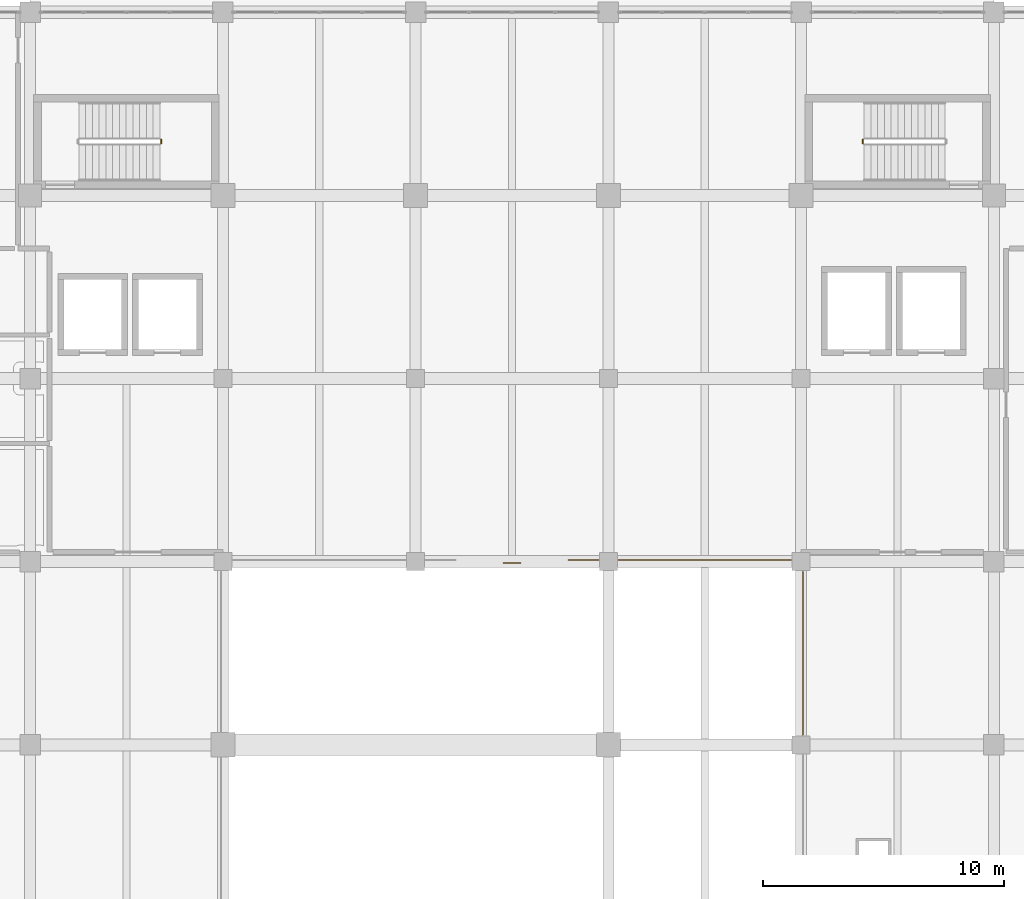
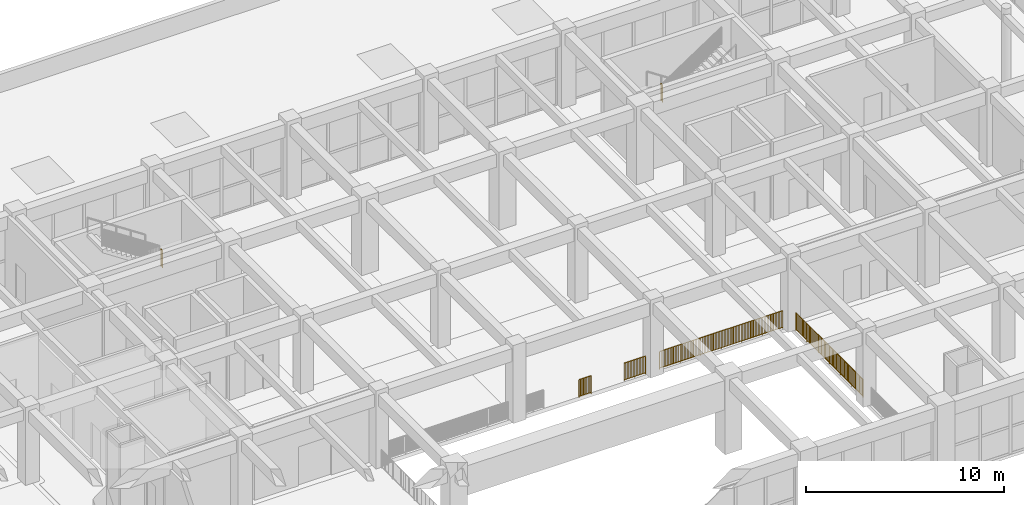
# One storey, part 94 of 101: 6 railings.
"""IFC4 building model written with IfcOpenShell, lengths in metres."""

from ifc_helpers import new_model, si_unit, direction, frame, origin, origin_2d, place, context, subcontext, project, spatial, rectangle, circle, extrude, material, type_object, element, save


model = new_model("IFC4")

# Units and contexts
model_context = context("Model", 3, precision=1e-05, world=origin(), true_north=direction((0.0, 1.0)))
body_context = subcontext(model_context, "Body", "Model", "MODEL_VIEW")
ifc_project = project(units=[si_unit("LENGTHUNIT", "METRE"), si_unit("AREAUNIT", "SQUARE_METRE"), si_unit("VOLUMEUNIT", "CUBIC_METRE"), si_unit("PLANEANGLEUNIT", "RADIAN"), si_unit("MASSUNIT", "GRAM", prefix="KILO")], contexts=[model_context])

# Site, building, storey
site_placement = place(None, origin())
site = spatial("IfcSite", under=ifc_project, at=site_placement, CompositionType="ELEMENT")
building_placement = place(site_placement, origin())
building = spatial("IfcBuilding", under=site, at=building_placement, Name="Zantavel Square City Hall", CompositionType="ELEMENT")
storey_placement = place(building_placement, frame((0.0, 0.0, 5.39990234375)))
storey = spatial("IfcBuildingStorey", under=building, at=storey_placement, Name="L02", CompositionType="ELEMENT", Elevation=5.39990234375)

# Railings
ifc_material = material(Name="Steel ASTM A500 Grade B", Category="steel")
railing_type_1 = type_object("IfcRailingType", Name="Atrium & Gallery Steel Guard Railing 1100mm", PredefinedType="GUARDRAIL", material=ifc_material)
railing_1_placement = place(storey_placement, frame((87.5849609375, 45.669921875, 0.0)))
element("IfcRailing", 1, at=railing_1_placement, inside=storey, type_object=railing_type_1, Name="L02 Atrium Void Guard 014", PredefinedType="GUARDRAIL", context=body_context, shape_type="SweptSolid", body=[
    extrude(circle(Radius=0.02392578125, at=origin_2d()), frame((0.0, 0.0, 1.09619140625), z_axis=(-1.0, 0.0, 0.0), x_axis=(0.0, -1.0, 0.0)), (0.0, 0.0, 1.0), 1.23486328125),
    extrude(rectangle(XDim=0.031982421875, YDim=0.031982421875, at=origin_2d()), frame((0.0, 0.0, 0.080078125), z_axis=(-1.0, 0.0, 0.0), x_axis=(0.0, -1.0, 0.0)), (0.0, 0.0, 1.0), 1.23486328125),
    extrude(rectangle(XDim=0.02197265625, YDim=0.02197265625, at=origin_2d()), frame((-0.088134765625, 0.0, 0.080078125)), (0.0, 0.0, 1.0), 0.991943359375),
    extrude(rectangle(XDim=0.02197265625, YDim=0.02197265625, at=origin_2d()), frame((-0.176513671875, 0.0, 0.080078125)), (0.0, 0.0, 1.0), 0.991943359375),
    extrude(rectangle(XDim=0.02197265625, YDim=0.02197265625, at=origin_2d()), frame((-0.2646484375, 0.0, 0.080078125)), (0.0, 0.0, 1.0), 0.991943359375),
    extrude(rectangle(XDim=0.02197265625, YDim=0.02197265625, at=origin_2d()), frame((-0.352783203125, 0.0, 0.080078125)), (0.0, 0.0, 1.0), 0.991943359375),
    extrude(rectangle(XDim=0.02197265625, YDim=0.02197265625, at=origin_2d()), frame((-0.44091796875, 0.0, 0.080078125)), (0.0, 0.0, 1.0), 0.991943359375),
    extrude(rectangle(XDim=0.02197265625, YDim=0.02197265625, at=origin_2d()), frame((-0.529296875, 0.0, 0.080078125)), (0.0, 0.0, 1.0), 0.991943359375),
    extrude(rectangle(XDim=0.02197265625, YDim=0.02197265625, at=origin_2d()), frame((-0.70556640625, 0.0, 0.080078125)), (0.0, 0.0, 1.0), 0.991943359375),
    extrude(rectangle(XDim=0.02197265625, YDim=0.02197265625, at=origin_2d()), frame((-0.7939453125, 0.0, 0.080078125)), (0.0, 0.0, 1.0), 0.991943359375),
    extrude(rectangle(XDim=0.02197265625, YDim=0.02197265625, at=origin_2d()), frame((-0.882080078125, 0.0, 0.080078125)), (0.0, 0.0, 1.0), 0.991943359375),
    extrude(rectangle(XDim=0.02197265625, YDim=0.02197265625, at=origin_2d()), frame((-0.97021484375, 0.0, 0.080078125)), (0.0, 0.0, 1.0), 0.991943359375),
    extrude(rectangle(XDim=0.02197265625, YDim=0.02197265625, at=origin_2d()), frame((-1.058349609375, 0.0, 0.080078125)), (0.0, 0.0, 1.0), 0.991943359375),
    extrude(rectangle(XDim=0.02197265625, YDim=0.02197265625, at=origin_2d()), frame((-1.146728515625, 0.0, 0.080078125)), (0.0, 0.0, 1.0), 0.991943359375),
    extrude(circle(Radius=0.02099609375, at=origin_2d()), origin(), (0.0, 0.0, 1.0), 1.072021484375),
    extrude(circle(Radius=0.02099609375, at=origin_2d()), frame((-0.617431640625, 0.0, 0.0)), (0.0, 0.0, 1.0), 1.072021484375),
    extrude(circle(Radius=0.02099609375, at=origin_2d()), frame((-1.23486328125, 0.0, 0.0)), (0.0, 0.0, 1.0), 1.072021484375),
])
railing_2_placement = place(storey_placement, frame((95.5849609375, 45.669921875, 0.0)))
element("IfcRailing", 2, at=railing_2_placement, inside=storey, type_object=railing_type_1, Name="L02 Atrium Void Guard 015", PredefinedType="GUARDRAIL", context=body_context, shape_type="SweptSolid", body=[
    extrude(circle(Radius=0.02392578125, at=origin_2d()), frame((0.0, 0.0, 1.09619140625), z_axis=(-1.0, 0.0, 0.0), x_axis=(0.0, -1.0, 0.0)), (0.0, 0.0, 1.0), 7.169921875),
    extrude(rectangle(XDim=0.031982421875, YDim=0.031982421875, at=origin_2d()), frame((0.0, 0.0, 0.080078125), z_axis=(-1.0, 0.0, 0.0), x_axis=(0.0, -1.0, 0.0)), (0.0, 0.0, 1.0), 7.169921875),
    extrude(rectangle(XDim=0.02197265625, YDim=0.02197265625, at=origin_2d()), frame((-0.089599609375, 0.0, 0.080078125)), (0.0, 0.0, 1.0), 0.991943359375),
    extrude(rectangle(XDim=0.02197265625, YDim=0.02197265625, at=origin_2d()), frame((-0.17919921875, 0.0, 0.080078125)), (0.0, 0.0, 1.0), 0.991943359375),
    extrude(rectangle(XDim=0.02197265625, YDim=0.02197265625, at=origin_2d()), frame((-0.268798828125, 0.0, 0.080078125)), (0.0, 0.0, 1.0), 0.991943359375),
    extrude(rectangle(XDim=0.02197265625, YDim=0.02197265625, at=origin_2d()), frame((-0.3583984375, 0.0, 0.080078125)), (0.0, 0.0, 1.0), 0.991943359375),
    extrude(rectangle(XDim=0.02197265625, YDim=0.02197265625, at=origin_2d()), frame((-0.4482421875, 0.0, 0.080078125)), (0.0, 0.0, 1.0), 0.991943359375),
    extrude(rectangle(XDim=0.02197265625, YDim=0.02197265625, at=origin_2d()), frame((-0.537841796875, 0.0, 0.080078125)), (0.0, 0.0, 1.0), 0.991943359375),
    extrude(rectangle(XDim=0.02197265625, YDim=0.02197265625, at=origin_2d()), frame((-0.62744140625, 0.0, 0.080078125)), (0.0, 0.0, 1.0), 0.991943359375),
    extrude(rectangle(XDim=0.02197265625, YDim=0.02197265625, at=origin_2d()), frame((-0.717041015625, 0.0, 0.080078125)), (0.0, 0.0, 1.0), 0.991943359375),
    extrude(rectangle(XDim=0.02197265625, YDim=0.02197265625, at=origin_2d()), frame((-0.806640625, 0.0, 0.080078125)), (0.0, 0.0, 1.0), 0.991943359375),
    extrude(rectangle(XDim=0.02197265625, YDim=0.02197265625, at=origin_2d()), frame((-0.896240234375, 0.0, 0.080078125)), (0.0, 0.0, 1.0), 0.991943359375),
    extrude(rectangle(XDim=0.02197265625, YDim=0.02197265625, at=origin_2d()), frame((-0.98583984375, 0.0, 0.080078125)), (0.0, 0.0, 1.0), 0.991943359375),
    extrude(rectangle(XDim=0.02197265625, YDim=0.02197265625, at=origin_2d()), frame((-1.075439453125, 0.0, 0.080078125)), (0.0, 0.0, 1.0), 0.991943359375),
    extrude(rectangle(XDim=0.02197265625, YDim=0.02197265625, at=origin_2d()), frame((-1.254638671875, 0.0, 0.080078125)), (0.0, 0.0, 1.0), 0.991943359375),
    extrude(rectangle(XDim=0.02197265625, YDim=0.02197265625, at=origin_2d()), frame((-1.34423828125, 0.0, 0.080078125)), (0.0, 0.0, 1.0), 0.991943359375),
    extrude(rectangle(XDim=0.02197265625, YDim=0.02197265625, at=origin_2d()), frame((-1.43408203125, 0.0, 0.080078125)), (0.0, 0.0, 1.0), 0.991943359375),
    extrude(rectangle(XDim=0.02197265625, YDim=0.02197265625, at=origin_2d()), frame((-1.523681640625, 0.0, 0.080078125)), (0.0, 0.0, 1.0), 0.991943359375),
    extrude(rectangle(XDim=0.02197265625, YDim=0.02197265625, at=origin_2d()), frame((-1.61328125, 0.0, 0.080078125)), (0.0, 0.0, 1.0), 0.991943359375),
    extrude(rectangle(XDim=0.02197265625, YDim=0.02197265625, at=origin_2d()), frame((-1.702880859375, 0.0, 0.080078125)), (0.0, 0.0, 1.0), 0.991943359375),
    extrude(rectangle(XDim=0.02197265625, YDim=0.02197265625, at=origin_2d()), frame((-1.79248046875, 0.0, 0.080078125)), (0.0, 0.0, 1.0), 0.991943359375),
    extrude(rectangle(XDim=0.02197265625, YDim=0.02197265625, at=origin_2d()), frame((-1.882080078125, 0.0, 0.080078125)), (0.0, 0.0, 1.0), 0.991943359375),
    extrude(rectangle(XDim=0.02197265625, YDim=0.02197265625, at=origin_2d()), frame((-1.9716796875, 0.0, 0.080078125)), (0.0, 0.0, 1.0), 0.991943359375),
    extrude(rectangle(XDim=0.02197265625, YDim=0.02197265625, at=origin_2d()), frame((-2.061279296875, 0.0, 0.080078125)), (0.0, 0.0, 1.0), 0.991943359375),
    extrude(rectangle(XDim=0.02197265625, YDim=0.02197265625, at=origin_2d()), frame((-2.15087890625, 0.0, 0.080078125)), (0.0, 0.0, 1.0), 0.991943359375),
    extrude(rectangle(XDim=0.02197265625, YDim=0.02197265625, at=origin_2d()), frame((-2.24072265625, 0.0, 0.080078125)), (0.0, 0.0, 1.0), 0.991943359375),
    extrude(rectangle(XDim=0.02197265625, YDim=0.02197265625, at=origin_2d()), frame((-2.330322265625, 0.0, 0.080078125)), (0.0, 0.0, 1.0), 0.991943359375),
    extrude(rectangle(XDim=0.02197265625, YDim=0.02197265625, at=origin_2d()), frame((-2.509521484375, 0.0, 0.080078125)), (0.0, 0.0, 1.0), 0.991943359375),
    extrude(rectangle(XDim=0.02197265625, YDim=0.02197265625, at=origin_2d()), frame((-2.59912109375, 0.0, 0.080078125)), (0.0, 0.0, 1.0), 0.991943359375),
    extrude(rectangle(XDim=0.02197265625, YDim=0.02197265625, at=origin_2d()), frame((-2.688720703125, 0.0, 0.080078125)), (0.0, 0.0, 1.0), 0.991943359375),
    extrude(rectangle(XDim=0.02197265625, YDim=0.02197265625, at=origin_2d()), frame((-2.7783203125, 0.0, 0.080078125)), (0.0, 0.0, 1.0), 0.991943359375),
    extrude(rectangle(XDim=0.02197265625, YDim=0.02197265625, at=origin_2d()), frame((-2.867919921875, 0.0, 0.080078125)), (0.0, 0.0, 1.0), 0.991943359375),
    extrude(rectangle(XDim=0.02197265625, YDim=0.02197265625, at=origin_2d()), frame((-2.95751953125, 0.0, 0.080078125)), (0.0, 0.0, 1.0), 0.991943359375),
    extrude(rectangle(XDim=0.02197265625, YDim=0.02197265625, at=origin_2d()), frame((-3.047119140625, 0.0, 0.080078125)), (0.0, 0.0, 1.0), 0.991943359375),
    extrude(rectangle(XDim=0.02197265625, YDim=0.02197265625, at=origin_2d()), frame((-3.13671875, 0.0, 0.080078125)), (0.0, 0.0, 1.0), 0.991943359375),
    extrude(rectangle(XDim=0.02197265625, YDim=0.02197265625, at=origin_2d()), frame((-3.2265625, 0.0, 0.080078125)), (0.0, 0.0, 1.0), 0.991943359375),
    extrude(rectangle(XDim=0.02197265625, YDim=0.02197265625, at=origin_2d()), frame((-3.316162109375, 0.0, 0.080078125)), (0.0, 0.0, 1.0), 0.991943359375),
    extrude(rectangle(XDim=0.02197265625, YDim=0.02197265625, at=origin_2d()), frame((-3.40576171875, 0.0, 0.080078125)), (0.0, 0.0, 1.0), 0.991943359375),
    extrude(rectangle(XDim=0.02197265625, YDim=0.02197265625, at=origin_2d()), frame((-3.495361328125, 0.0, 0.080078125)), (0.0, 0.0, 1.0), 0.991943359375),
    extrude(rectangle(XDim=0.02197265625, YDim=0.02197265625, at=origin_2d()), frame((-3.674560546875, 0.0, 0.080078125)), (0.0, 0.0, 1.0), 0.991943359375),
    extrude(rectangle(XDim=0.02197265625, YDim=0.02197265625, at=origin_2d()), frame((-3.76416015625, 0.0, 0.080078125)), (0.0, 0.0, 1.0), 0.991943359375),
    extrude(rectangle(XDim=0.02197265625, YDim=0.02197265625, at=origin_2d()), frame((-3.853759765625, 0.0, 0.080078125)), (0.0, 0.0, 1.0), 0.991943359375),
    extrude(rectangle(XDim=0.02197265625, YDim=0.02197265625, at=origin_2d()), frame((-3.943359375, 0.0, 0.080078125)), (0.0, 0.0, 1.0), 0.991943359375),
    extrude(rectangle(XDim=0.02197265625, YDim=0.02197265625, at=origin_2d()), frame((-4.033203125, 0.0, 0.080078125)), (0.0, 0.0, 1.0), 0.991943359375),
    extrude(rectangle(XDim=0.02197265625, YDim=0.02197265625, at=origin_2d()), frame((-4.122802734375, 0.0, 0.080078125)), (0.0, 0.0, 1.0), 0.991943359375),
    extrude(rectangle(XDim=0.02197265625, YDim=0.02197265625, at=origin_2d()), frame((-4.21240234375, 0.0, 0.080078125)), (0.0, 0.0, 1.0), 0.991943359375),
    extrude(rectangle(XDim=0.02197265625, YDim=0.02197265625, at=origin_2d()), frame((-4.302001953125, 0.0, 0.080078125)), (0.0, 0.0, 1.0), 0.991943359375),
    extrude(rectangle(XDim=0.02197265625, YDim=0.02197265625, at=origin_2d()), frame((-4.3916015625, 0.0, 0.080078125)), (0.0, 0.0, 1.0), 0.991943359375),
    extrude(rectangle(XDim=0.02197265625, YDim=0.02197265625, at=origin_2d()), frame((-4.481201171875, 0.0, 0.080078125)), (0.0, 0.0, 1.0), 0.991943359375),
    extrude(rectangle(XDim=0.02197265625, YDim=0.02197265625, at=origin_2d()), frame((-4.57080078125, 0.0, 0.080078125)), (0.0, 0.0, 1.0), 0.991943359375),
    extrude(rectangle(XDim=0.02197265625, YDim=0.02197265625, at=origin_2d()), frame((-4.660400390625, 0.0, 0.080078125)), (0.0, 0.0, 1.0), 0.991943359375),
    extrude(rectangle(XDim=0.02197265625, YDim=0.02197265625, at=origin_2d()), frame((-4.839599609375, 0.0, 0.080078125)), (0.0, 0.0, 1.0), 0.991943359375),
    extrude(rectangle(XDim=0.02197265625, YDim=0.02197265625, at=origin_2d()), frame((-4.92919921875, 0.0, 0.080078125)), (0.0, 0.0, 1.0), 0.991943359375),
    extrude(rectangle(XDim=0.02197265625, YDim=0.02197265625, at=origin_2d()), frame((-5.01904296875, 0.0, 0.080078125)), (0.0, 0.0, 1.0), 0.991943359375),
    extrude(rectangle(XDim=0.02197265625, YDim=0.02197265625, at=origin_2d()), frame((-5.108642578125, 0.0, 0.080078125)), (0.0, 0.0, 1.0), 0.991943359375),
    extrude(rectangle(XDim=0.02197265625, YDim=0.02197265625, at=origin_2d()), frame((-5.1982421875, 0.0, 0.080078125)), (0.0, 0.0, 1.0), 0.991943359375),
    extrude(rectangle(XDim=0.02197265625, YDim=0.02197265625, at=origin_2d()), frame((-5.287841796875, 0.0, 0.080078125)), (0.0, 0.0, 1.0), 0.991943359375),
    extrude(rectangle(XDim=0.02197265625, YDim=0.02197265625, at=origin_2d()), frame((-5.37744140625, 0.0, 0.080078125)), (0.0, 0.0, 1.0), 0.991943359375),
    extrude(rectangle(XDim=0.02197265625, YDim=0.02197265625, at=origin_2d()), frame((-5.467041015625, 0.0, 0.080078125)), (0.0, 0.0, 1.0), 0.991943359375),
    extrude(rectangle(XDim=0.02197265625, YDim=0.02197265625, at=origin_2d()), frame((-5.556640625, 0.0, 0.080078125)), (0.0, 0.0, 1.0), 0.991943359375),
    extrude(rectangle(XDim=0.02197265625, YDim=0.02197265625, at=origin_2d()), frame((-5.646240234375, 0.0, 0.080078125)), (0.0, 0.0, 1.0), 0.991943359375),
    extrude(rectangle(XDim=0.02197265625, YDim=0.02197265625, at=origin_2d()), frame((-5.73583984375, 0.0, 0.080078125)), (0.0, 0.0, 1.0), 0.991943359375),
    extrude(rectangle(XDim=0.02197265625, YDim=0.02197265625, at=origin_2d()), frame((-5.82568359375, 0.0, 0.080078125)), (0.0, 0.0, 1.0), 0.991943359375),
    extrude(rectangle(XDim=0.02197265625, YDim=0.02197265625, at=origin_2d()), frame((-5.915283203125, 0.0, 0.080078125)), (0.0, 0.0, 1.0), 0.991943359375),
    extrude(rectangle(XDim=0.02197265625, YDim=0.02197265625, at=origin_2d()), frame((-6.094482421875, 0.0, 0.080078125)), (0.0, 0.0, 1.0), 0.991943359375),
    extrude(rectangle(XDim=0.02197265625, YDim=0.02197265625, at=origin_2d()), frame((-6.18408203125, 0.0, 0.080078125)), (0.0, 0.0, 1.0), 0.991943359375),
    extrude(rectangle(XDim=0.02197265625, YDim=0.02197265625, at=origin_2d()), frame((-6.273681640625, 0.0, 0.080078125)), (0.0, 0.0, 1.0), 0.991943359375),
    extrude(rectangle(XDim=0.02197265625, YDim=0.02197265625, at=origin_2d()), frame((-6.36328125, 0.0, 0.080078125)), (0.0, 0.0, 1.0), 0.991943359375),
    extrude(rectangle(XDim=0.02197265625, YDim=0.02197265625, at=origin_2d()), frame((-6.452880859375, 0.0, 0.080078125)), (0.0, 0.0, 1.0), 0.991943359375),
    extrude(rectangle(XDim=0.02197265625, YDim=0.02197265625, at=origin_2d()), frame((-6.54248046875, 0.0, 0.080078125)), (0.0, 0.0, 1.0), 0.991943359375),
    extrude(rectangle(XDim=0.02197265625, YDim=0.02197265625, at=origin_2d()), frame((-6.632080078125, 0.0, 0.080078125)), (0.0, 0.0, 1.0), 0.991943359375),
    extrude(rectangle(XDim=0.02197265625, YDim=0.02197265625, at=origin_2d()), frame((-6.7216796875, 0.0, 0.080078125)), (0.0, 0.0, 1.0), 0.991943359375),
    extrude(rectangle(XDim=0.02197265625, YDim=0.02197265625, at=origin_2d()), frame((-6.8115234375, 0.0, 0.080078125)), (0.0, 0.0, 1.0), 0.991943359375),
    extrude(rectangle(XDim=0.02197265625, YDim=0.02197265625, at=origin_2d()), frame((-6.901123046875, 0.0, 0.080078125)), (0.0, 0.0, 1.0), 0.991943359375),
    extrude(rectangle(XDim=0.02197265625, YDim=0.02197265625, at=origin_2d()), frame((-6.99072265625, 0.0, 0.080078125)), (0.0, 0.0, 1.0), 0.991943359375),
    extrude(rectangle(XDim=0.02197265625, YDim=0.02197265625, at=origin_2d()), frame((-7.080322265625, 0.0, 0.080078125)), (0.0, 0.0, 1.0), 0.991943359375),
    extrude(circle(Radius=0.02099609375, at=origin_2d()), origin(), (0.0, 0.0, 1.0), 1.072021484375),
    extrude(circle(Radius=0.02099609375, at=origin_2d()), frame((-1.195068359375, 0.0, 0.0)), (0.0, 0.0, 1.0), 1.072021484375),
    extrude(circle(Radius=0.02099609375, at=origin_2d()), frame((-2.389892578125, 0.0, 0.0)), (0.0, 0.0, 1.0), 1.072021484375),
    extrude(circle(Radius=0.02099609375, at=origin_2d()), frame((-3.5849609375, 0.0, 0.0)), (0.0, 0.0, 1.0), 1.072021484375),
    extrude(circle(Radius=0.02099609375, at=origin_2d()), frame((-4.780029296875, 0.0, 0.0)), (0.0, 0.0, 1.0), 1.072021484375),
    extrude(circle(Radius=0.02099609375, at=origin_2d()), frame((-5.974853515625, 0.0, 0.0)), (0.0, 0.0, 1.0), 1.072021484375),
    extrude(circle(Radius=0.02099609375, at=origin_2d()), frame((-7.169921875, 0.0, 0.0)), (0.0, 0.0, 1.0), 1.072021484375),
])
railing_3_placement = place(storey_placement, frame((96.070068359375, 38.4150390625, 0.0)))
element("IfcRailing", 3, at=railing_3_placement, inside=storey, type_object=railing_type_1, Name="L02 Atrium Void Guard 017", PredefinedType="GUARDRAIL", context=body_context, shape_type="SweptSolid", body=[
    extrude(circle(Radius=0.02392578125, at=origin_2d()), frame((0.0, 0.0, 1.09619140625), z_axis=(0.0, 1.0, 0.0), x_axis=(-1.0, 0.0, 0.0)), (0.0, 0.0, 1.0), 6.77001953125),
    extrude(rectangle(XDim=0.031982421875, YDim=0.031982421875, at=origin_2d()), frame((0.0, 0.0, 0.080078125), z_axis=(0.0, 1.0, 0.0), x_axis=(-1.0, 0.0, 0.0)), (0.0, 0.0, 1.0), 6.77001953125),
    extrude(rectangle(XDim=0.02197265625, YDim=0.02197265625, at=origin_2d()), frame((0.0, 0.089111328125, 0.080078125)), (0.0, 0.0, 1.0), 0.991943359375),
    extrude(rectangle(XDim=0.02197265625, YDim=0.02197265625, at=origin_2d()), frame((0.0, 0.17822265625, 0.080078125)), (0.0, 0.0, 1.0), 0.991943359375),
    extrude(rectangle(XDim=0.02197265625, YDim=0.02197265625, at=origin_2d()), frame((0.0, 0.267333984375, 0.080078125)), (0.0, 0.0, 1.0), 0.991943359375),
    extrude(rectangle(XDim=0.02197265625, YDim=0.02197265625, at=origin_2d()), frame((0.0, 0.356201171875, 0.080078125)), (0.0, 0.0, 1.0), 0.991943359375),
    extrude(rectangle(XDim=0.02197265625, YDim=0.02197265625, at=origin_2d()), frame((0.0, 0.4453125, 0.080078125)), (0.0, 0.0, 1.0), 0.991943359375),
    extrude(rectangle(XDim=0.02197265625, YDim=0.02197265625, at=origin_2d()), frame((0.0, 0.534423828125, 0.080078125)), (0.0, 0.0, 1.0), 0.991943359375),
    extrude(rectangle(XDim=0.02197265625, YDim=0.02197265625, at=origin_2d()), frame((0.0, 0.62353515625, 0.080078125)), (0.0, 0.0, 1.0), 0.991943359375),
    extrude(rectangle(XDim=0.02197265625, YDim=0.02197265625, at=origin_2d()), frame((0.0, 0.712646484375, 0.080078125)), (0.0, 0.0, 1.0), 0.991943359375),
    extrude(rectangle(XDim=0.02197265625, YDim=0.02197265625, at=origin_2d()), frame((0.0, 0.8017578125, 0.080078125)), (0.0, 0.0, 1.0), 0.991943359375),
    extrude(rectangle(XDim=0.02197265625, YDim=0.02197265625, at=origin_2d()), frame((0.0, 0.890869140625, 0.080078125)), (0.0, 0.0, 1.0), 0.991943359375),
    extrude(rectangle(XDim=0.02197265625, YDim=0.02197265625, at=origin_2d()), frame((0.0, 0.97998046875, 0.080078125)), (0.0, 0.0, 1.0), 0.991943359375),
    extrude(rectangle(XDim=0.02197265625, YDim=0.02197265625, at=origin_2d()), frame((0.0, 1.06884765625, 0.080078125)), (0.0, 0.0, 1.0), 0.991943359375),
    extrude(rectangle(XDim=0.02197265625, YDim=0.02197265625, at=origin_2d()), frame((0.0, 1.2470703125, 0.080078125)), (0.0, 0.0, 1.0), 0.991943359375),
    extrude(rectangle(XDim=0.02197265625, YDim=0.02197265625, at=origin_2d()), frame((0.0, 1.336181640625, 0.080078125)), (0.0, 0.0, 1.0), 0.991943359375),
    extrude(rectangle(XDim=0.02197265625, YDim=0.02197265625, at=origin_2d()), frame((0.0, 1.42529296875, 0.080078125)), (0.0, 0.0, 1.0), 0.991943359375),
    extrude(rectangle(XDim=0.02197265625, YDim=0.02197265625, at=origin_2d()), frame((0.0, 1.514404296875, 0.080078125)), (0.0, 0.0, 1.0), 0.991943359375),
    extrude(rectangle(XDim=0.02197265625, YDim=0.02197265625, at=origin_2d()), frame((0.0, 1.603515625, 0.080078125)), (0.0, 0.0, 1.0), 0.991943359375),
    extrude(rectangle(XDim=0.02197265625, YDim=0.02197265625, at=origin_2d()), frame((0.0, 1.6923828125, 0.080078125)), (0.0, 0.0, 1.0), 0.991943359375),
    extrude(rectangle(XDim=0.02197265625, YDim=0.02197265625, at=origin_2d()), frame((0.0, 1.781494140625, 0.080078125)), (0.0, 0.0, 1.0), 0.991943359375),
    extrude(rectangle(XDim=0.02197265625, YDim=0.02197265625, at=origin_2d()), frame((0.0, 1.87060546875, 0.080078125)), (0.0, 0.0, 1.0), 0.991943359375),
    extrude(rectangle(XDim=0.02197265625, YDim=0.02197265625, at=origin_2d()), frame((0.0, 1.959716796875, 0.080078125)), (0.0, 0.0, 1.0), 0.991943359375),
    extrude(rectangle(XDim=0.02197265625, YDim=0.02197265625, at=origin_2d()), frame((0.0, 2.048828125, 0.080078125)), (0.0, 0.0, 1.0), 0.991943359375),
    extrude(rectangle(XDim=0.02197265625, YDim=0.02197265625, at=origin_2d()), frame((0.0, 2.137939453125, 0.080078125)), (0.0, 0.0, 1.0), 0.991943359375),
    extrude(rectangle(XDim=0.02197265625, YDim=0.02197265625, at=origin_2d()), frame((0.0, 2.316162109375, 0.080078125)), (0.0, 0.0, 1.0), 0.991943359375),
    extrude(rectangle(XDim=0.02197265625, YDim=0.02197265625, at=origin_2d()), frame((0.0, 2.405029296875, 0.080078125)), (0.0, 0.0, 1.0), 0.991943359375),
    extrude(rectangle(XDim=0.02197265625, YDim=0.02197265625, at=origin_2d()), frame((0.0, 2.494140625, 0.080078125)), (0.0, 0.0, 1.0), 0.991943359375),
    extrude(rectangle(XDim=0.02197265625, YDim=0.02197265625, at=origin_2d()), frame((0.0, 2.583251953125, 0.080078125)), (0.0, 0.0, 1.0), 0.991943359375),
    extrude(rectangle(XDim=0.02197265625, YDim=0.02197265625, at=origin_2d()), frame((0.0, 2.67236328125, 0.080078125)), (0.0, 0.0, 1.0), 0.991943359375),
    extrude(rectangle(XDim=0.02197265625, YDim=0.02197265625, at=origin_2d()), frame((0.0, 2.761474609375, 0.080078125)), (0.0, 0.0, 1.0), 0.991943359375),
    extrude(rectangle(XDim=0.02197265625, YDim=0.02197265625, at=origin_2d()), frame((0.0, 2.8505859375, 0.080078125)), (0.0, 0.0, 1.0), 0.991943359375),
    extrude(rectangle(XDim=0.02197265625, YDim=0.02197265625, at=origin_2d()), frame((0.0, 2.939697265625, 0.080078125)), (0.0, 0.0, 1.0), 0.991943359375),
    extrude(rectangle(XDim=0.02197265625, YDim=0.02197265625, at=origin_2d()), frame((0.0, 3.02880859375, 0.080078125)), (0.0, 0.0, 1.0), 0.991943359375),
    extrude(rectangle(XDim=0.02197265625, YDim=0.02197265625, at=origin_2d()), frame((0.0, 3.11767578125, 0.080078125)), (0.0, 0.0, 1.0), 0.991943359375),
    extrude(rectangle(XDim=0.02197265625, YDim=0.02197265625, at=origin_2d()), frame((0.0, 3.206787109375, 0.080078125)), (0.0, 0.0, 1.0), 0.991943359375),
    extrude(rectangle(XDim=0.02197265625, YDim=0.02197265625, at=origin_2d()), frame((0.0, 3.2958984375, 0.080078125)), (0.0, 0.0, 1.0), 0.991943359375),
    extrude(rectangle(XDim=0.02197265625, YDim=0.02197265625, at=origin_2d()), frame((0.0, 3.47412109375, 0.080078125)), (0.0, 0.0, 1.0), 0.991943359375),
    extrude(rectangle(XDim=0.02197265625, YDim=0.02197265625, at=origin_2d()), frame((0.0, 3.563232421875, 0.080078125)), (0.0, 0.0, 1.0), 0.991943359375),
    extrude(rectangle(XDim=0.02197265625, YDim=0.02197265625, at=origin_2d()), frame((0.0, 3.65234375, 0.080078125)), (0.0, 0.0, 1.0), 0.991943359375),
    extrude(rectangle(XDim=0.02197265625, YDim=0.02197265625, at=origin_2d()), frame((0.0, 3.7412109375, 0.080078125)), (0.0, 0.0, 1.0), 0.991943359375),
    extrude(rectangle(XDim=0.02197265625, YDim=0.02197265625, at=origin_2d()), frame((0.0, 3.830322265625, 0.080078125)), (0.0, 0.0, 1.0), 0.991943359375),
    extrude(rectangle(XDim=0.02197265625, YDim=0.02197265625, at=origin_2d()), frame((0.0, 3.91943359375, 0.080078125)), (0.0, 0.0, 1.0), 0.991943359375),
    extrude(rectangle(XDim=0.02197265625, YDim=0.02197265625, at=origin_2d()), frame((0.0, 4.008544921875, 0.080078125)), (0.0, 0.0, 1.0), 0.991943359375),
    extrude(rectangle(XDim=0.02197265625, YDim=0.02197265625, at=origin_2d()), frame((0.0, 4.09765625, 0.080078125)), (0.0, 0.0, 1.0), 0.991943359375),
    extrude(rectangle(XDim=0.02197265625, YDim=0.02197265625, at=origin_2d()), frame((0.0, 4.186767578125, 0.080078125)), (0.0, 0.0, 1.0), 0.991943359375),
    extrude(rectangle(XDim=0.02197265625, YDim=0.02197265625, at=origin_2d()), frame((0.0, 4.27587890625, 0.080078125)), (0.0, 0.0, 1.0), 0.991943359375),
    extrude(rectangle(XDim=0.02197265625, YDim=0.02197265625, at=origin_2d()), frame((0.0, 4.364990234375, 0.080078125)), (0.0, 0.0, 1.0), 0.991943359375),
    extrude(rectangle(XDim=0.02197265625, YDim=0.02197265625, at=origin_2d()), frame((0.0, 4.453857421875, 0.080078125)), (0.0, 0.0, 1.0), 0.991943359375),
    extrude(rectangle(XDim=0.02197265625, YDim=0.02197265625, at=origin_2d()), frame((0.0, 4.632080078125, 0.080078125)), (0.0, 0.0, 1.0), 0.991943359375),
    extrude(rectangle(XDim=0.02197265625, YDim=0.02197265625, at=origin_2d()), frame((0.0, 4.72119140625, 0.080078125)), (0.0, 0.0, 1.0), 0.991943359375),
    extrude(rectangle(XDim=0.02197265625, YDim=0.02197265625, at=origin_2d()), frame((0.0, 4.810302734375, 0.080078125)), (0.0, 0.0, 1.0), 0.991943359375),
    extrude(rectangle(XDim=0.02197265625, YDim=0.02197265625, at=origin_2d()), frame((0.0, 4.8994140625, 0.080078125)), (0.0, 0.0, 1.0), 0.991943359375),
    extrude(rectangle(XDim=0.02197265625, YDim=0.02197265625, at=origin_2d()), frame((0.0, 4.988525390625, 0.080078125)), (0.0, 0.0, 1.0), 0.991943359375),
    extrude(rectangle(XDim=0.02197265625, YDim=0.02197265625, at=origin_2d()), frame((0.0, 5.07763671875, 0.080078125)), (0.0, 0.0, 1.0), 0.991943359375),
    extrude(rectangle(XDim=0.02197265625, YDim=0.02197265625, at=origin_2d()), frame((0.0, 5.16650390625, 0.080078125)), (0.0, 0.0, 1.0), 0.991943359375),
    extrude(rectangle(XDim=0.02197265625, YDim=0.02197265625, at=origin_2d()), frame((0.0, 5.255615234375, 0.080078125)), (0.0, 0.0, 1.0), 0.991943359375),
    extrude(rectangle(XDim=0.02197265625, YDim=0.02197265625, at=origin_2d()), frame((0.0, 5.3447265625, 0.080078125)), (0.0, 0.0, 1.0), 0.991943359375),
    extrude(rectangle(XDim=0.02197265625, YDim=0.02197265625, at=origin_2d()), frame((0.0, 5.433837890625, 0.080078125)), (0.0, 0.0, 1.0), 0.991943359375),
    extrude(rectangle(XDim=0.02197265625, YDim=0.02197265625, at=origin_2d()), frame((0.0, 5.52294921875, 0.080078125)), (0.0, 0.0, 1.0), 0.991943359375),
    extrude(rectangle(XDim=0.02197265625, YDim=0.02197265625, at=origin_2d()), frame((0.0, 5.701171875, 0.080078125)), (0.0, 0.0, 1.0), 0.991943359375),
    extrude(rectangle(XDim=0.02197265625, YDim=0.02197265625, at=origin_2d()), frame((0.0, 5.7900390625, 0.080078125)), (0.0, 0.0, 1.0), 0.991943359375),
    extrude(rectangle(XDim=0.02197265625, YDim=0.02197265625, at=origin_2d()), frame((0.0, 5.879150390625, 0.080078125)), (0.0, 0.0, 1.0), 0.991943359375),
    extrude(rectangle(XDim=0.02197265625, YDim=0.02197265625, at=origin_2d()), frame((0.0, 5.96826171875, 0.080078125)), (0.0, 0.0, 1.0), 0.991943359375),
    extrude(rectangle(XDim=0.02197265625, YDim=0.02197265625, at=origin_2d()), frame((0.0, 6.057373046875, 0.080078125)), (0.0, 0.0, 1.0), 0.991943359375),
    extrude(rectangle(XDim=0.02197265625, YDim=0.02197265625, at=origin_2d()), frame((0.0, 6.146484375, 0.080078125)), (0.0, 0.0, 1.0), 0.991943359375),
    extrude(rectangle(XDim=0.02197265625, YDim=0.02197265625, at=origin_2d()), frame((0.0, 6.235595703125, 0.080078125)), (0.0, 0.0, 1.0), 0.991943359375),
    extrude(rectangle(XDim=0.02197265625, YDim=0.02197265625, at=origin_2d()), frame((0.0, 6.32470703125, 0.080078125)), (0.0, 0.0, 1.0), 0.991943359375),
    extrude(rectangle(XDim=0.02197265625, YDim=0.02197265625, at=origin_2d()), frame((0.0, 6.413818359375, 0.080078125)), (0.0, 0.0, 1.0), 0.991943359375),
    extrude(rectangle(XDim=0.02197265625, YDim=0.02197265625, at=origin_2d()), frame((0.0, 6.502685546875, 0.080078125)), (0.0, 0.0, 1.0), 0.991943359375),
    extrude(rectangle(XDim=0.02197265625, YDim=0.02197265625, at=origin_2d()), frame((0.0, 6.591796875, 0.080078125)), (0.0, 0.0, 1.0), 0.991943359375),
    extrude(rectangle(XDim=0.02197265625, YDim=0.02197265625, at=origin_2d()), frame((0.0, 6.680908203125, 0.080078125)), (0.0, 0.0, 1.0), 0.991943359375),
    extrude(circle(Radius=0.02099609375, at=origin_2d()), origin(), (0.0, 0.0, 1.0), 1.072021484375),
    extrude(circle(Radius=0.02099609375, at=origin_2d()), frame((0.0, 1.12841796875, 0.0)), (0.0, 0.0, 1.0), 1.072021484375),
    extrude(circle(Radius=0.02099609375, at=origin_2d()), frame((0.0, 2.256591796875, 0.0)), (0.0, 0.0, 1.0), 1.072021484375),
    extrude(circle(Radius=0.02099609375, at=origin_2d()), frame((0.0, 3.385009765625, 0.0)), (0.0, 0.0, 1.0), 1.072021484375),
    extrude(circle(Radius=0.02099609375, at=origin_2d()), frame((0.0, 4.513427734375, 0.0)), (0.0, 0.0, 1.0), 1.072021484375),
    extrude(circle(Radius=0.02099609375, at=origin_2d()), frame((0.0, 5.6416015625, 0.0)), (0.0, 0.0, 1.0), 1.072021484375),
    extrude(circle(Radius=0.02099609375, at=origin_2d()), frame((0.0, 6.77001953125, 0.0)), (0.0, 0.0, 1.0), 1.072021484375),
])
railing_4_placement = place(storey_placement, frame((69.43994140625, 62.9599609375, 2.400146484375)))
element("IfcRailing", 4, at=railing_4_placement, inside=storey, type_object=railing_type_1, Name="L02 ST5 stair guard 2", PredefinedType="GUARDRAIL", context=body_context, shape_type="SweptSolid", body=[
    extrude(circle(Radius=0.02392578125, at=origin_2d()), frame((0.0, 0.0, 1.076171875), z_axis=(0.0, 1.0, 0.0), x_axis=(-1.0, 0.0, 0.0)), (0.0, 0.0, 1.0), 0.150146484375),
    extrude(rectangle(XDim=0.031982421875, YDim=0.031982421875, at=origin_2d()), frame((0.0, 0.0, 0.080078125), z_axis=(0.0, 1.0, 0.0), x_axis=(-1.0, 0.0, 0.0)), (0.0, 0.0, 1.0), 0.150146484375),
    extrude(rectangle(XDim=0.02197265625, YDim=0.02197265625, at=origin_2d()), frame((0.0, 0.0751953125, 0.080078125)), (0.0, 0.0, 1.0), 0.971923828125),
    extrude(circle(Radius=0.02099609375, at=origin_2d()), origin(), (0.0, 0.0, 1.0), 1.052001953125),
    extrude(circle(Radius=0.02099609375, at=origin_2d()), frame((0.0, 0.150146484375, 0.0)), (0.0, 0.0, 1.0), 1.052001953125),
])
railing_5_placement = place(storey_placement, frame((98.56005859375, 63.110107421875, 2.400146484375)))
element("IfcRailing", 5, at=railing_5_placement, inside=storey, type_object=railing_type_1, Name="L02 ST6 stair guard 2", PredefinedType="GUARDRAIL", context=body_context, shape_type="SweptSolid", body=[
    extrude(circle(Radius=0.02392578125, at=origin_2d()), frame((0.0, 0.0, 1.076171875), z_axis=(0.0, -1.0, 0.0), x_axis=(1.0, 0.0, 0.0)), (0.0, 0.0, 1.0), 0.150146484375),
    extrude(rectangle(XDim=0.031982421875, YDim=0.031982421875, at=origin_2d()), frame((0.0, 0.0, 0.080078125), z_axis=(0.0, -1.0, 0.0), x_axis=(1.0, 0.0, 0.0)), (0.0, 0.0, 1.0), 0.150146484375),
    extrude(rectangle(XDim=0.02197265625, YDim=0.02197265625, at=origin_2d()), frame((0.0, -0.0751953125, 0.080078125)), (0.0, 0.0, 1.0), 0.971923828125),
    extrude(circle(Radius=0.02099609375, at=origin_2d()), origin(), (0.0, 0.0, 1.0), 1.052001953125),
    extrude(circle(Radius=0.02099609375, at=origin_2d()), frame((0.0, -0.150146484375, 0.0)), (0.0, 0.0, 1.0), 1.052001953125),
])
railing_type_2 = type_object("IfcRailingType", Name="Classical Stone & Steel Terrace Balustrade 1100mm", PredefinedType="BALUSTRADE", material=ifc_material)
railing_6_placement = place(storey_placement, frame((83.64990234375, 45.550048828125, 0.0)))
element("IfcRailing", 6, at=railing_6_placement, inside=storey, type_object=railing_type_2, Name="Imperial Stair Balustered Guard 10", PredefinedType="BALUSTRADE", context=body_context, shape_type="SweptSolid", body=[
    extrude(circle(Radius=0.02392578125, at=origin_2d()), frame((0.0, 0.0, 1.09619140625), z_axis=(1.0, 0.0, 0.0), x_axis=(0.0, 1.0, 0.0)), (0.0, 0.0, 1.0), 0.7001953125),
    extrude(rectangle(XDim=0.031982421875, YDim=0.031982421875, at=origin_2d()), frame((0.0, 0.0, 0.080078125), z_axis=(1.0, 0.0, 0.0), x_axis=(0.0, 1.0, 0.0)), (0.0, 0.0, 1.0), 0.7001953125),
    extrude(rectangle(XDim=0.02197265625, YDim=0.02197265625, at=origin_2d()), frame((0.08740234375, 0.0, 0.080078125)), (0.0, 0.0, 1.0), 0.991943359375),
    extrude(rectangle(XDim=0.02197265625, YDim=0.02197265625, at=origin_2d()), frame((0.175048828125, 0.0, 0.080078125)), (0.0, 0.0, 1.0), 0.991943359375),
    extrude(rectangle(XDim=0.02197265625, YDim=0.02197265625, at=origin_2d()), frame((0.2626953125, 0.0, 0.080078125)), (0.0, 0.0, 1.0), 0.991943359375),
    extrude(rectangle(XDim=0.02197265625, YDim=0.02197265625, at=origin_2d()), frame((0.35009765625, 0.0, 0.080078125)), (0.0, 0.0, 1.0), 0.991943359375),
    extrude(rectangle(XDim=0.02197265625, YDim=0.02197265625, at=origin_2d()), frame((0.4375, 0.0, 0.080078125)), (0.0, 0.0, 1.0), 0.991943359375),
    extrude(rectangle(XDim=0.02197265625, YDim=0.02197265625, at=origin_2d()), frame((0.525146484375, 0.0, 0.080078125)), (0.0, 0.0, 1.0), 0.991943359375),
    extrude(rectangle(XDim=0.02197265625, YDim=0.02197265625, at=origin_2d()), frame((0.61279296875, 0.0, 0.080078125)), (0.0, 0.0, 1.0), 0.991943359375),
    extrude(circle(Radius=0.02099609375, at=origin_2d()), origin(), (0.0, 0.0, 1.0), 1.072021484375),
    extrude(circle(Radius=0.02099609375, at=origin_2d()), frame((0.7001953125, 0.0, 0.0)), (0.0, 0.0, 1.0), 1.072021484375),
])

save(model, "model.ifc")
